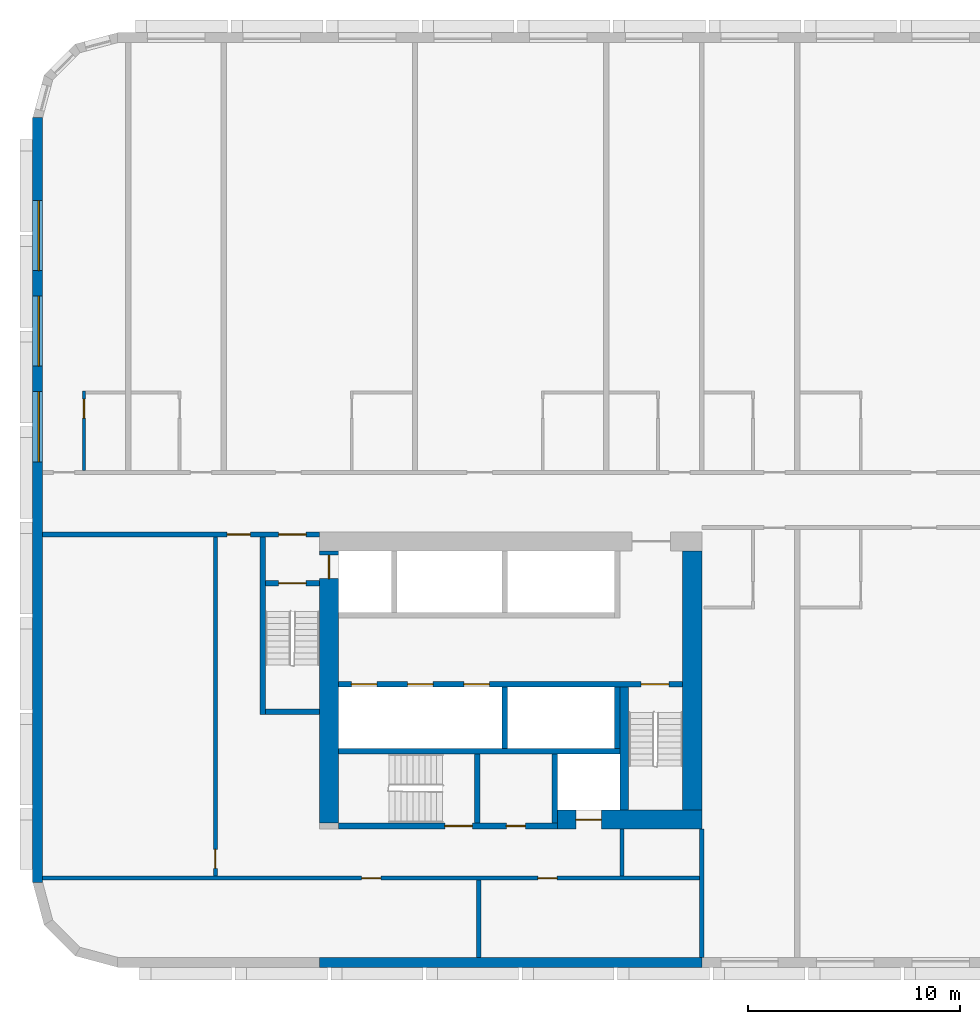
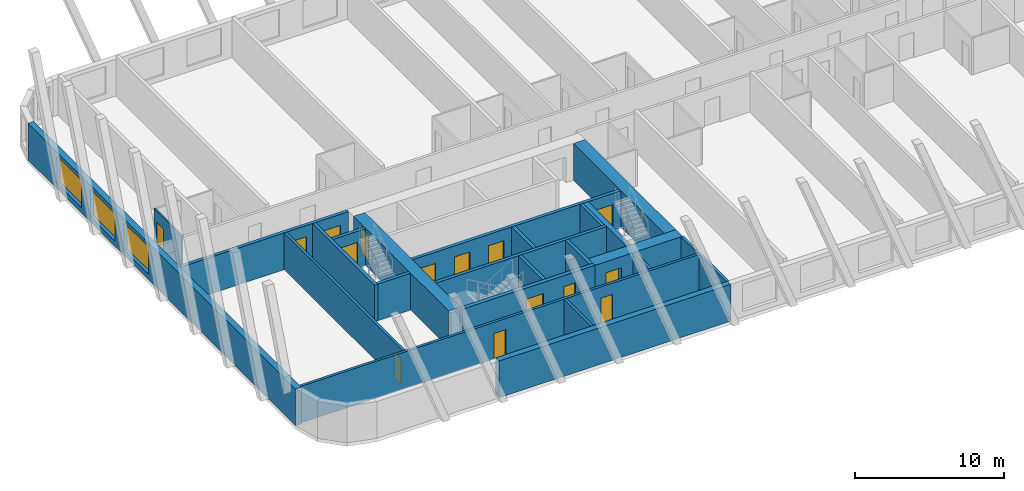
# One storey, part 2 of 13: 23 walls, 15 doors, 3 windows, 18 openings.
"""IFC4 building model written with IfcOpenShell, lengths in metres."""

from ifc_helpers import new_model, si_unit, direction, frame, frame_2d, origin, place, context, subcontext, project, spatial, rectangle, extrude, material, layer, layer_set, type_object, element, fill, save


model = new_model("IFC4")

# Units and contexts
model_context = context("Model", 3, precision=1e-05, world=origin(), true_north=direction((0.0, 1.0)))
body_context = subcontext(model_context, "Body", "Model", "MODEL_VIEW")
ifc_project = project(units=[si_unit("LENGTHUNIT", "METRE"), si_unit("AREAUNIT", "SQUARE_METRE"), si_unit("VOLUMEUNIT", "CUBIC_METRE"), si_unit("PLANEANGLEUNIT", "RADIAN"), si_unit("MASSUNIT", "GRAM", prefix="KILO")], contexts=[model_context])

# Site, building, storey
site_placement = place(None, origin())
site = spatial("IfcSite", under=ifc_project, at=site_placement, CompositionType="ELEMENT")
building_placement = place(site_placement, origin())
building = spatial("IfcBuilding", under=site, at=building_placement, Name="Kajstack Hotel Tower", CompositionType="ELEMENT")
storey_placement = place(building_placement, frame((0.0, 0.0, 60.0)))
storey = spatial("IfcBuildingStorey", under=building, at=storey_placement, Name="L09", CompositionType="ELEMENT", Elevation=60.0)

# Wall, opening, door
ifc_material_1 = material(Name="Concrete C60/75", Category="concrete")
ifc_layer_1 = layer(ifc_material_1, 0.89990234375)
ifc_layer_set_1 = layer_set([ifc_layer_1], Name="Core wall 900")
wall_type_1 = type_object("IfcWallType", Name="Core wall 900", PredefinedType="SHEAR", material=ifc_layer_set_1)
wall_1_placement = place(storey_placement, frame((-20.300048828125, -15.050048828125, 0.0), z_axis=(0.0, 0.0, 1.0), x_axis=(1.0, 0.0, 0.0)))
wall_1 = element("IfcWall", 1, at=wall_1_placement, inside=storey, type_object=wall_type_1, Name="Core wall W RS", PredefinedType="SHEAR", context=body_context, shape_type="SweptSolid", body=[
    extrude(rectangle(XDim=6.800048828125, YDim=0.89990234375, at=frame_2d((3.39990234375, 0.0))), origin(), (0.0, 0.0, 1.0), 3.02001953125),
])
opening_1_placement = place(wall_1_placement, frame((0.875, 0.0, 0.0)))
opening_1 = element("IfcOpeningElement", 2, at=opening_1_placement, cuts=wall_1, Name="Opening LD-SV1", PredefinedType="OPENING", context=body_context, shape_type="SweptSolid", body=[
    extrude(rectangle(XDim=1.199951171875, YDim=2.10009765625, at=frame_2d((0.60009765625, 1.050048828125))), frame((0.0, 0.4599609375, 0.0), z_axis=(0.0, -1.0, 0.0), x_axis=(1.0, 0.0, 0.0)), (0.0, 0.0, 1.0), 0.919921875),
])
ifc_material_2 = material(Name="Stainless steel", Category="steel")
door_type_1 = type_object("IfcDoorType", Name="Lift landing door 1200", OperationType="SLIDING_TO_LEFT", PredefinedType="DOOR", material=ifc_material_2)
door_1_placement = place(opening_1_placement, origin())
door_1 = element("IfcDoor", 3, at=door_1_placement, inside=storey, type_object=door_type_1, Name="Landing door SV1", OperationType="SLIDING_TO_LEFT", OverallHeight=2.10009765625, OverallWidth=1.199951171875, PredefinedType="DOOR", context=body_context, shape_type="SweptSolid", body=[
    extrude(rectangle(XDim=1.199951171875, YDim=2.10009765625, at=frame_2d((0.60009765625, 1.050048828125))), frame((0.0, 0.02490234375, 0.0), z_axis=(0.0, -1.0, 0.0), x_axis=(1.0, 0.0, 0.0)), (0.0, 0.0, 1.0), 0.050048828125),
])
fill(opening_1, door_1)

wall_2_placement = place(storey_placement, frame((-31.050048828125, -15.199951171875, 0.0), z_axis=(0.0, 0.0, 1.0), x_axis=(0.0, 1.0, 0.0)))
wall_2 = element("IfcWall", 4, at=wall_2_placement, inside=storey, type_object=wall_type_1, Name="Core wall W RW", PredefinedType="SHEAR", context=body_context, shape_type="SweptSolid", body=[
    extrude(rectangle(XDim=12.800048828125, YDim=0.89990234375, at=frame_2d((6.39990234375, 0.0))), origin(), (0.0, 0.0, 1.0), 3.02001953125),
])
opening_2_placement = place(wall_2_placement, frame((11.5, 0.0, 0.0)))
opening_2 = element("IfcOpeningElement", 5, at=opening_2_placement, cuts=wall_2, Name="Opening LD-FF1", PredefinedType="OPENING", context=body_context, shape_type="SweptSolid", body=[
    extrude(rectangle(XDim=1.10009765625, YDim=2.10009765625, at=frame_2d((0.550048828125, 1.050048828125))), frame((0.0, 0.4599609375, 0.0), z_axis=(0.0, -1.0, 0.0), x_axis=(1.0, 0.0, 0.0)), (0.0, 0.0, 1.0), 0.919921875),
])
door_type_2 = type_object("IfcDoorType", Name="Fire-fighting lift landing door 1100", OperationType="SLIDING_TO_LEFT", PredefinedType="DOOR", material=ifc_material_2)
door_2_placement = place(opening_2_placement, origin())
door_2 = element("IfcDoor", 6, at=door_2_placement, inside=storey, type_object=door_type_2, Name="Landing door FF1", OperationType="SLIDING_TO_RIGHT", OverallHeight=2.10009765625, OverallWidth=1.10009765625, PredefinedType="DOOR", context=body_context, shape_type="SweptSolid", body=[
    extrude(rectangle(XDim=1.10009765625, YDim=2.10009765625, at=frame_2d((0.550048828125, 1.050048828125))), frame((0.0, 0.02490234375, 0.0), z_axis=(0.0, -1.0, 0.0), x_axis=(1.0, 0.0, 0.0)), (0.0, 0.0, 1.0), 0.050048828125),
])
fill(opening_2, door_2)

# Walls
wall_3_placement = place(storey_placement, frame((-13.949951171875, -14.60009765625, 0.0), z_axis=(0.0, 0.0, 1.0), x_axis=(0.0, 1.0, 0.0)))
element("IfcWall", 7, at=wall_3_placement, inside=storey, type_object=wall_type_1, Name="Core wall W RE", PredefinedType="SHEAR", context=body_context, shape_type="SweptSolid", body=[
    extrude(rectangle(XDim=12.2001953125, YDim=0.89990234375, at=frame_2d((6.10009765625, 0.0))), origin(), (0.0, 0.0, 1.0), 3.02001953125),
])
ifc_material_3 = material(Name="Twin-frame gypsum board on steel studs, mineral wool", Category="steel")
ifc_layer_2 = layer(ifc_material_3, 0.199951171875)
ifc_layer_set_2 = layer_set([ifc_layer_2], Name="Demising wall 200")
wall_type_2 = type_object("IfcWallType", Name="Demising wall 200", PredefinedType="PARTITIONING", material=ifc_layer_set_2)
wall_4_placement = place(storey_placement, frame((-13.5, -21.550048828125, 0.0), z_axis=(0.0, 0.0, 1.0), x_axis=(0.0, 1.0, 0.0)))
element("IfcWall", 8, at=wall_4_placement, inside=storey, type_object=wall_type_2, Name="G-wall-L09-002", PredefinedType="PARTITIONING", context=body_context, shape_type="SweptSolid", body=[
    extrude(rectangle(XDim=6.050048828125, YDim=0.199951171875, at=frame_2d((3.02490234375, 0.0))), origin(), (0.0, 0.0, 1.0), 3.02001953125),
])
ifc_material_4 = material(Name="Concrete C40/50", Category="concrete")
ifc_layer_3 = layer(ifc_material_4, 0.449951171875)
ifc_layer_set_3 = layer_set([ifc_layer_3], Name="EW-CORE")
wall_type_3 = type_object("IfcWallType", Name="EW-CORE", PredefinedType="SOLIDWALL", material=ifc_layer_set_3)
wall_5_placement = place(storey_placement, frame((-31.5, -21.77490234375, 0.0), z_axis=(0.0, 0.0, 1.0), x_axis=(1.0, 0.0, 0.0)))
element("IfcWall", 9, at=wall_5_placement, inside=storey, type_object=wall_type_3, Name="E-wall-L09-03-01", PredefinedType="SOLIDWALL", context=body_context, shape_type="SweptSolid", body=[
    extrude(rectangle(XDim=18.0, YDim=0.449951171875, at=frame_2d((9.0, 0.0))), origin(), (0.0, 0.0, 1.0), 3.02001953125),
])

# Wall, openings, windows
ifc_material_5 = material(Name="Terracotta-faced brick masonry", Category="masonry")
ifc_layer_4 = layer(ifc_material_5, 0.449951171875)
ifc_layer_set_4 = layer_set([ifc_layer_4], Name="EW-TERRA")
wall_type_4 = type_object("IfcWallType", Name="EW-TERRA", PredefinedType="SOLIDWALL", material=ifc_layer_set_4)
wall_6_placement = place(storey_placement, frame((-44.77490234375, 18.0, 0.0), z_axis=(0.0, 0.0, 1.0), x_axis=(0.0, -1.0, 0.0)))
wall_6 = element("IfcWall", 10, at=wall_6_placement, inside=storey, type_object=wall_type_4, Name="E-wall-L09-15-00", PredefinedType="SOLIDWALL", context=body_context, shape_type="SweptSolid", body=[
    extrude(rectangle(XDim=36.0, YDim=0.449951171875, at=frame_2d((18.0, 0.0))), origin(), (0.0, 0.0, 1.0), 3.02001953125),
])
opening_3_placement = place(wall_6_placement, frame((3.89990234375, 0.0, 0.449951171875)))
opening_3 = element("IfcOpeningElement", 11, at=opening_3_placement, cuts=wall_6, Name="Opening W2", PredefinedType="OPENING", context=body_context, shape_type="SweptSolid", body=[
    extrude(rectangle(XDim=3.300048828125, YDim=2.25, at=frame_2d((1.64990234375, 1.125))), frame((0.0, 0.23486328125, 0.0), z_axis=(0.0, -1.0, 0.0), x_axis=(1.0, 0.0, 0.0)), (0.0, 0.0, 1.0), 0.469970703125),
])
opening_4_placement = place(wall_6_placement, frame((8.39990234375, 0.0, 0.449951171875)))
opening_4 = element("IfcOpeningElement", 12, at=opening_4_placement, cuts=wall_6, Name="Opening W2", PredefinedType="OPENING", context=body_context, shape_type="SweptSolid", body=[
    extrude(rectangle(XDim=3.300048828125, YDim=2.25, at=frame_2d((1.64990234375, 1.125))), frame((0.0, 0.23486328125, 0.0), z_axis=(0.0, -1.0, 0.0), x_axis=(1.0, 0.0, 0.0)), (0.0, 0.0, 1.0), 0.469970703125),
])
opening_5_placement = place(wall_6_placement, frame((12.89990234375, 0.0, 0.449951171875)))
opening_5 = element("IfcOpeningElement", 13, at=opening_5_placement, cuts=wall_6, Name="Opening W2", PredefinedType="OPENING", context=body_context, shape_type="SweptSolid", body=[
    extrude(rectangle(XDim=3.300048828125, YDim=2.25, at=frame_2d((1.64990234375, 1.125))), frame((0.0, 0.23486328125, 0.0), z_axis=(0.0, -1.0, 0.0), x_axis=(1.0, 0.0, 0.0)), (0.0, 0.0, 1.0), 0.469970703125),
])
ifc_material_6 = material(Name="Timber-aluminium window, triple glazed", Category="wood")
window_type = type_object("IfcWindowType", Name="WG2", PartitioningType="SINGLE_PANEL", PredefinedType="WINDOW", material=ifc_material_6)
window_1_placement = place(opening_3_placement, origin())
window_1 = element("IfcWindow", 14, at=window_1_placement, inside=storey, type_object=window_type, Name="Window W2 L09-15", OverallHeight=2.25, OverallWidth=3.300048828125, PartitioningType="SINGLE_PANEL", PredefinedType="WINDOW", context=body_context, shape_type="SweptSolid", body=[
    extrude(rectangle(XDim=3.300048828125, YDim=2.25, at=frame_2d((1.64990234375, 1.125))), frame((0.0, 0.090087890625, 0.0), z_axis=(0.0, -1.0, 0.0), x_axis=(1.0, 0.0, 0.0)), (0.0, 0.0, 1.0), 0.06005859375),
])
fill(opening_3, window_1)
window_2_placement = place(opening_4_placement, origin())
window_2 = element("IfcWindow", 15, at=window_2_placement, inside=storey, type_object=window_type, Name="Window W2 L09-15", OverallHeight=2.25, OverallWidth=3.300048828125, PartitioningType="SINGLE_PANEL", PredefinedType="WINDOW", context=body_context, shape_type="SweptSolid", body=[
    extrude(rectangle(XDim=3.300048828125, YDim=2.25, at=frame_2d((1.64990234375, 1.125))), frame((0.0, 0.090087890625, 0.0), z_axis=(0.0, -1.0, 0.0), x_axis=(1.0, 0.0, 0.0)), (0.0, 0.0, 1.0), 0.06005859375),
])
fill(opening_4, window_2)
window_3_placement = place(opening_5_placement, origin())
window_3 = element("IfcWindow", 16, at=window_3_placement, inside=storey, type_object=window_type, Name="Window W2 L09-15", OverallHeight=2.25, OverallWidth=3.300048828125, PartitioningType="SINGLE_PANEL", PredefinedType="WINDOW", context=body_context, shape_type="SweptSolid", body=[
    extrude(rectangle(XDim=3.300048828125, YDim=2.25, at=frame_2d((1.64990234375, 1.125))), frame((0.0, 0.090087890625, 0.0), z_axis=(0.0, -1.0, 0.0), x_axis=(1.0, 0.0, 0.0)), (0.0, 0.0, 1.0), 0.06005859375),
])
fill(opening_5, window_3)

# Wall, opening, door
ifc_material_7 = material(Name="Gypsum board and tiled backer on steel studs", Category="steel")
ifc_layer_5 = layer(ifc_material_7, 0.125)
ifc_layer_set_5 = layer_set([ifc_layer_5], Name="En-suite wall 125")
wall_type_5 = type_object("IfcWallType", Name="En-suite wall 125", PredefinedType="PARTITIONING", material=ifc_layer_set_5)
wall_7_placement = place(storey_placement, frame((-42.5869140625, 1.39990234375, 0.0), z_axis=(0.0, 0.0, 1.0), x_axis=(0.0, 1.0, 0.0)))
wall_7 = element("IfcWall", 17, at=wall_7_placement, inside=storey, type_object=wall_type_5, Name="G-wall-L09-004", PredefinedType="PARTITIONING", context=body_context, shape_type="SweptSolid", body=[
    extrude(rectangle(XDim=3.72509765625, YDim=0.125, at=frame_2d((1.862548828125, 0.0))), origin(), (0.0, 0.0, 1.0), 3.02001953125),
])
opening_6_placement = place(wall_7_placement, frame((2.449951171875, 0.0, 0.0)))
opening_6 = element("IfcOpeningElement", 18, at=opening_6_placement, cuts=wall_7, Name="Opening 09002", PredefinedType="OPENING", context=body_context, shape_type="SweptSolid", body=[
    extrude(rectangle(XDim=0.89990234375, YDim=2.10009765625, at=frame_2d((0.449951171875, 1.050048828125))), frame((0.0, 0.072509765625, 0.0), z_axis=(0.0, -1.0, 0.0), x_axis=(1.0, 0.0, 0.0)), (0.0, 0.0, 1.0), 0.14501953125),
])
ifc_material_8 = material(Name="Painted timber door leaf", Category="wood")
door_type_3 = type_object("IfcDoorType", Name="Room door 900", OperationType="SINGLE_SWING_LEFT", PredefinedType="DOOR", material=ifc_material_8)
door_3_placement = place(opening_6_placement, origin())
door_3 = element("IfcDoor", 19, at=door_3_placement, inside=storey, type_object=door_type_3, Name="G-door-L09-02", OperationType="SINGLE_SWING_RIGHT", OverallHeight=2.10009765625, OverallWidth=0.89990234375, PredefinedType="DOOR", context=body_context, shape_type="SweptSolid", body=[
    extrude(rectangle(XDim=0.89990234375, YDim=2.10009765625, at=frame_2d((0.449951171875, 1.050048828125))), frame((0.0, 0.02490234375, 0.0), z_axis=(0.0, -1.0, 0.0), x_axis=(1.0, 0.0, 0.0)), (0.0, 0.0, 1.0), 0.050048828125),
])
fill(opening_6, door_3)

# Wall
ifc_material_9 = material(Name="Concrete C50/60", Category="concrete")
ifc_layer_6 = layer(ifc_material_9, 0.300048828125)
ifc_layer_set_6 = layer_set([ifc_layer_6], Name="Hoistway divider wall 300")
wall_type_6 = type_object("IfcWallType", Name="Hoistway divider wall 300", PredefinedType="SHEAR", material=ifc_layer_set_6)
wall_8_placement = place(storey_placement, frame((-22.77490234375, -11.699951171875, 0.0), z_axis=(0.0, 0.0, 1.0), x_axis=(0.0, 1.0, 0.0)))
element("IfcWall", 20, at=wall_8_placement, inside=storey, type_object=wall_type_6, Name="Core wall W BP2", PredefinedType="SHEAR", context=body_context, shape_type="SweptSolid", body=[
    extrude(rectangle(XDim=2.89990234375, YDim=0.25, at=frame_2d((1.449951171875, 0.0))), origin(), (0.0, 0.0, 1.0), 3.02001953125),
])

# Wall, openings, doors
ifc_material_10 = material(Name="Gypsum board on steel studs, mineral wool", Category="steel")
ifc_layer_7 = layer(ifc_material_10, 0.199951171875)
ifc_layer_set_7 = layer_set([ifc_layer_7], Name="Service partition 200")
wall_type_7 = type_object("IfcWallType", Name="Service partition 200", PredefinedType="PARTITIONING", material=ifc_layer_set_7)
wall_9_placement = place(storey_placement, frame((-44.550048828125, -1.625, 0.0), z_axis=(0.0, 0.0, 1.0), x_axis=(1.0, 0.0, 0.0)))
wall_9 = element("IfcWall", 21, at=wall_9_placement, inside=storey, type_object=wall_type_7, Name="Partition W SN", PredefinedType="PARTITIONING", context=body_context, shape_type="SweptSolid", body=[
    extrude(rectangle(XDim=13.050048828125, YDim=0.25, at=frame_2d((6.52490234375, 0.0))), origin(), (0.0, 0.0, 1.0), 3.02001953125),
])
opening_7_placement = place(wall_9_placement, frame((11.125, 0.0, 0.0)))
opening_7 = element("IfcOpeningElement", 22, at=opening_7_placement, cuts=wall_9, Name="Opening 09W07", PredefinedType="OPENING", context=body_context, shape_type="SweptSolid", body=[
    extrude(rectangle(XDim=1.300048828125, YDim=2.10009765625, at=frame_2d((0.64990234375, 1.050048828125))), frame((0.0, 0.135009765625, 0.0), z_axis=(0.0, -1.0, 0.0), x_axis=(1.0, 0.0, 0.0)), (0.0, 0.0, 1.0), 0.27001953125),
])
opening_8_placement = place(wall_9_placement, frame((8.699951171875, 0.0, 0.0)))
opening_8 = element("IfcOpeningElement", 23, at=opening_8_placement, cuts=wall_9, Name="Opening 09W09", PredefinedType="OPENING", context=body_context, shape_type="SweptSolid", body=[
    extrude(rectangle(XDim=1.10009765625, YDim=2.10009765625, at=frame_2d((0.550048828125, 1.050048828125))), frame((0.0, 0.135009765625, 0.0), z_axis=(0.0, -1.0, 0.0), x_axis=(1.0, 0.0, 0.0)), (0.0, 0.0, 1.0), 0.27001953125),
])
ifc_material_11 = material(Name="Steel leaf, fire-rated", Category="steel")
door_type_4 = type_object("IfcDoorType", Name="Fire lobby door 1300", OperationType="SINGLE_SWING_LEFT", PredefinedType="DOOR", material=ifc_material_11)
door_4_placement = place(opening_7_placement, origin())
door_4 = element("IfcDoor", 24, at=door_4_placement, inside=storey, type_object=door_type_4, Name="Door 09W07", OperationType="SINGLE_SWING_RIGHT", OverallHeight=2.10009765625, OverallWidth=1.300048828125, PredefinedType="DOOR", context=body_context, shape_type="SweptSolid", body=[
    extrude(rectangle(XDim=1.300048828125, YDim=2.10009765625, at=frame_2d((0.64990234375, 1.050048828125))), frame((0.0, 0.02490234375, 0.0), z_axis=(0.0, -1.0, 0.0), x_axis=(1.0, 0.0, 0.0)), (0.0, 0.0, 1.0), 0.050048828125),
])
fill(opening_7, door_4)
ifc_material_12 = material(Name="Timber leaf, fire-rated", Category="wood")
door_type_5 = type_object("IfcDoorType", Name="Service corridor door 1100", OperationType="SINGLE_SWING_LEFT", PredefinedType="DOOR", material=ifc_material_12)
door_5_placement = place(opening_8_placement, origin())
door_5 = element("IfcDoor", 25, at=door_5_placement, inside=storey, type_object=door_type_5, Name="Door 09W09", OperationType="SINGLE_SWING_RIGHT", OverallHeight=2.10009765625, OverallWidth=1.10009765625, PredefinedType="DOOR", context=body_context, shape_type="SweptSolid", body=[
    extrude(rectangle(XDim=1.10009765625, YDim=2.10009765625, at=frame_2d((0.550048828125, 1.050048828125))), frame((0.0, 0.02490234375, 0.0), z_axis=(0.0, -1.0, 0.0), x_axis=(1.0, 0.0, 0.0)), (0.0, 0.0, 1.0), 0.050048828125),
])
fill(opening_8, door_5)

# Wall
wall_10_placement = place(storey_placement, frame((-17.25, -17.699951171875, 0.0), z_axis=(0.0, 0.0, 1.0), x_axis=(0.0, 1.0, 0.0)))
element("IfcWall", 26, at=wall_10_placement, inside=storey, type_object=wall_type_7, Name="Partition W SCE", PredefinedType="PARTITIONING", context=body_context, shape_type="SweptSolid", body=[
    extrude(rectangle(XDim=2.199951171875, YDim=0.199951171875, at=frame_2d((1.10009765625, 0.0))), origin(), (0.0, 0.0, 1.0), 3.02001953125),
])

# Wall, opening, door
wall_11_placement = place(storey_placement, frame((-36.39990234375, -17.699951171875, 0.0), z_axis=(0.0, 0.0, 1.0), x_axis=(0.0, 1.0, 0.0)))
wall_11 = element("IfcWall", 27, at=wall_11_placement, inside=storey, type_object=wall_type_7, Name="Partition W WRE", PredefinedType="PARTITIONING", context=body_context, shape_type="SweptSolid", body=[
    extrude(rectangle(XDim=15.949951171875, YDim=0.199951171875, at=frame_2d((7.97509765625, 0.0))), origin(), (0.0, 0.0, 1.0), 3.02001953125),
])
opening_9_placement = place(wall_11_placement, frame((0.35009765625, 0.0, 0.0)))
opening_9 = element("IfcOpeningElement", 28, at=opening_9_placement, cuts=wall_11, Name="Opening 09W15", PredefinedType="OPENING", context=body_context, shape_type="SweptSolid", body=[
    extrude(rectangle(XDim=0.89990234375, YDim=2.10009765625, at=frame_2d((0.449951171875, 1.050048828125))), frame((0.0, 0.10986328125, 0.0), z_axis=(0.0, -1.0, 0.0), x_axis=(1.0, 0.0, 0.0)), (0.0, 0.0, 1.0), 0.219970703125),
])
door_type_6 = type_object("IfcDoorType", Name="Service door 900", OperationType="SINGLE_SWING_LEFT", PredefinedType="DOOR", material=ifc_material_12)
door_6_placement = place(opening_9_placement, origin())
door_6 = element("IfcDoor", 29, at=door_6_placement, inside=storey, type_object=door_type_6, Name="Door 09W15", OperationType="SINGLE_SWING_LEFT", OverallHeight=2.10009765625, OverallWidth=0.89990234375, PredefinedType="DOOR", context=body_context, shape_type="SweptSolid", body=[
    extrude(rectangle(XDim=0.89990234375, YDim=2.10009765625, at=frame_2d((0.449951171875, 1.050048828125))), frame((0.0, 0.02490234375, 0.0), z_axis=(0.0, -1.0, 0.0), x_axis=(1.0, 0.0, 0.0)), (0.0, 0.0, 1.0), 0.050048828125),
])
fill(opening_9, door_6)

# Wall, openings, doors
wall_12_placement = place(storey_placement, frame((-44.550048828125, -17.800048828125, 0.0), z_axis=(0.0, 0.0, 1.0), x_axis=(1.0, 0.0, 0.0)))
wall_12 = element("IfcWall", 30, at=wall_12_placement, inside=storey, type_object=wall_type_7, Name="Partition W SLN", PredefinedType="PARTITIONING", context=body_context, shape_type="SweptSolid", body=[
    extrude(rectangle(XDim=30.949951171875, YDim=0.199951171875, at=frame_2d((15.47509765625, 0.0))), origin(), (0.0, 0.0, 1.0), 3.02001953125),
])
opening_10_placement = place(wall_12_placement, frame((15.03759765625, 0.0, 0.0)))
opening_10 = element("IfcOpeningElement", 31, at=opening_10_placement, cuts=wall_12, Name="Opening 09W13", PredefinedType="OPENING", context=body_context, shape_type="SweptSolid", body=[
    extrude(rectangle(XDim=0.89990234375, YDim=2.10009765625, at=frame_2d((0.449951171875, 1.050048828125))), frame((0.0, 0.10986328125, 0.0), z_axis=(0.0, -1.0, 0.0), x_axis=(1.0, 0.0, 0.0)), (0.0, 0.0, 1.0), 0.219970703125),
])
opening_11_placement = place(wall_12_placement, frame((23.33740234375, 0.0, 0.0)))
opening_11 = element("IfcOpeningElement", 32, at=opening_11_placement, cuts=wall_12, Name="Opening 09W14", PredefinedType="OPENING", context=body_context, shape_type="SweptSolid", body=[
    extrude(rectangle(XDim=0.89990234375, YDim=2.10009765625, at=frame_2d((0.449951171875, 1.050048828125))), frame((0.0, 0.10986328125, 0.0), z_axis=(0.0, -1.0, 0.0), x_axis=(1.0, 0.0, 0.0)), (0.0, 0.0, 1.0), 0.219970703125),
])
door_7_placement = place(opening_10_placement, origin())
door_7 = element("IfcDoor", 33, at=door_7_placement, inside=storey, type_object=door_type_6, Name="Door 09W13", OperationType="SINGLE_SWING_RIGHT", OverallHeight=2.10009765625, OverallWidth=0.89990234375, PredefinedType="DOOR", context=body_context, shape_type="SweptSolid", body=[
    extrude(rectangle(XDim=0.89990234375, YDim=2.10009765625, at=frame_2d((0.449951171875, 1.050048828125))), frame((0.0, 0.02490234375, 0.0), z_axis=(0.0, -1.0, 0.0), x_axis=(1.0, 0.0, 0.0)), (0.0, 0.0, 1.0), 0.050048828125),
])
fill(opening_10, door_7)
door_8_placement = place(opening_11_placement, origin())
door_8 = element("IfcDoor", 34, at=door_8_placement, inside=storey, type_object=door_type_6, Name="Door 09W14", OperationType="SINGLE_SWING_RIGHT", OverallHeight=2.10009765625, OverallWidth=0.89990234375, PredefinedType="DOOR", context=body_context, shape_type="SweptSolid", body=[
    extrude(rectangle(XDim=0.89990234375, YDim=2.10009765625, at=frame_2d((0.449951171875, 1.050048828125))), frame((0.0, 0.02490234375, 0.0), z_axis=(0.0, -1.0, 0.0), x_axis=(1.0, 0.0, 0.0)), (0.0, 0.0, 1.0), 0.050048828125),
])
fill(opening_11, door_8)

# Wall
wall_13_placement = place(storey_placement, frame((-24.0, -21.550048828125, 0.0), z_axis=(0.0, 0.0, 1.0), x_axis=(0.0, 1.0, 0.0)))
element("IfcWall", 35, at=wall_13_placement, inside=storey, type_object=wall_type_7, Name="Partition W SLP0", PredefinedType="PARTITIONING", context=body_context, shape_type="SweptSolid", body=[
    extrude(rectangle(XDim=3.650146484375, YDim=0.199951171875, at=frame_2d((1.8251953125, 0.0))), origin(), (0.0, 0.0, 1.0), 3.02001953125),
])

# Wall, openings, doors
ifc_layer_8 = layer(ifc_material_9, 0.25)
ifc_layer_set_8 = layer_set([ifc_layer_8], Name="Shaft wall 250")
wall_type_8 = type_object("IfcWallType", Name="Shaft wall 250", PredefinedType="SHEAR", material=ifc_layer_set_8)
wall_14_placement = place(storey_placement, frame((-30.60009765625, -15.35009765625, 0.0), z_axis=(0.0, 0.0, 1.0), x_axis=(1.0, 0.0, 0.0)))
wall_14 = element("IfcWall", 36, at=wall_14_placement, inside=storey, type_object=wall_type_8, Name="Core wall W RSS", PredefinedType="SHEAR", context=body_context, shape_type="SweptSolid", body=[
    extrude(rectangle(XDim=10.300048828125, YDim=0.300048828125, at=frame_2d((5.14990234375, 0.0))), origin(), (0.0, 0.0, 1.0), 3.02001953125),
])
opening_12_placement = place(wall_14_placement, frame((5.0, 0.0, 0.0)))
opening_12 = element("IfcOpeningElement", 37, at=opening_12_placement, cuts=wall_14, Name="Opening 09W11", PredefinedType="OPENING", context=body_context, shape_type="SweptSolid", body=[
    extrude(rectangle(XDim=1.300048828125, YDim=2.10009765625, at=frame_2d((0.64990234375, 1.050048828125))), frame((0.0, 0.159912109375, 0.0), z_axis=(0.0, -1.0, 0.0), x_axis=(1.0, 0.0, 0.0)), (0.0, 0.0, 1.0), 0.320068359375),
])
opening_13_placement = place(wall_14_placement, frame((7.89990234375, 0.0, 0.0)))
opening_13 = element("IfcOpeningElement", 38, at=opening_13_placement, cuts=wall_14, Name="Opening 09W12", PredefinedType="OPENING", context=body_context, shape_type="SweptSolid", body=[
    extrude(rectangle(XDim=0.89990234375, YDim=2.10009765625, at=frame_2d((0.449951171875, 1.050048828125))), frame((0.0, 0.159912109375, 0.0), z_axis=(0.0, -1.0, 0.0), x_axis=(1.0, 0.0, 0.0)), (0.0, 0.0, 1.0), 0.320068359375),
])
door_9_placement = place(opening_13_placement, origin())
door_9 = element("IfcDoor", 39, at=door_9_placement, inside=storey, type_object=door_type_6, Name="Door 09W12", OperationType="SINGLE_SWING_LEFT", OverallHeight=2.10009765625, OverallWidth=0.89990234375, PredefinedType="DOOR", context=body_context, shape_type="SweptSolid", body=[
    extrude(rectangle(XDim=0.89990234375, YDim=2.10009765625, at=frame_2d((0.449951171875, 1.050048828125))), frame((0.0, 0.02490234375, 0.0), z_axis=(0.0, -1.0, 0.0), x_axis=(1.0, 0.0, 0.0)), (0.0, 0.0, 1.0), 0.050048828125),
])
fill(opening_13, door_9)
door_type_7 = type_object("IfcDoorType", Name="Stair door 1300", OperationType="SINGLE_SWING_LEFT", PredefinedType="DOOR", material=ifc_material_11)
door_10_placement = place(opening_12_placement, origin())
door_10 = element("IfcDoor", 40, at=door_10_placement, inside=storey, type_object=door_type_7, Name="Door 09W11", OperationType="SINGLE_SWING_RIGHT", OverallHeight=2.10009765625, OverallWidth=1.300048828125, PredefinedType="DOOR", context=body_context, shape_type="SweptSolid", body=[
    extrude(rectangle(XDim=1.300048828125, YDim=2.10009765625, at=frame_2d((0.64990234375, 1.050048828125))), frame((0.0, 0.02490234375, 0.0), z_axis=(0.0, -1.0, 0.0), x_axis=(1.0, 0.0, 0.0)), (0.0, 0.0, 1.0), 0.050048828125),
])
fill(opening_12, door_10)

wall_15_placement = place(storey_placement, frame((-30.60009765625, -8.675048828125, 0.0), z_axis=(0.0, 0.0, 1.0), x_axis=(1.0, 0.0, 0.0)))
wall_15 = element("IfcWall", 41, at=wall_15_placement, inside=storey, type_object=wall_type_8, Name="Core wall W FB", PredefinedType="SHEAR", context=body_context, shape_type="SweptSolid", body=[
    extrude(rectangle(XDim=16.2001953125, YDim=0.25, at=frame_2d((8.10009765625, 0.0))), origin(), (0.0, 0.0, 1.0), 3.02001953125),
])
opening_14_placement = place(wall_15_placement, frame((0.60009765625, 0.0, 0.0)))
opening_14 = element("IfcOpeningElement", 42, at=opening_14_placement, cuts=wall_15, Name="Opening LD-LR1", PredefinedType="OPENING", context=body_context, shape_type="SweptSolid", body=[
    extrude(rectangle(XDim=1.199951171875, YDim=2.10009765625, at=frame_2d((0.60009765625, 1.050048828125))), frame((0.0, 0.135009765625, 0.0), z_axis=(0.0, -1.0, 0.0), x_axis=(1.0, 0.0, 0.0)), (0.0, 0.0, 1.0), 0.27001953125),
])
opening_15_placement = place(wall_15_placement, frame((3.25, 0.0, 0.0)))
opening_15 = element("IfcOpeningElement", 43, at=opening_15_placement, cuts=wall_15, Name="Opening LD-LR2", PredefinedType="OPENING", context=body_context, shape_type="SweptSolid", body=[
    extrude(rectangle(XDim=1.199951171875, YDim=2.10009765625, at=frame_2d((0.60009765625, 1.050048828125))), frame((0.0, 0.135009765625, 0.0), z_axis=(0.0, -1.0, 0.0), x_axis=(1.0, 0.0, 0.0)), (0.0, 0.0, 1.0), 0.27001953125),
])
opening_16_placement = place(wall_15_placement, frame((5.89990234375, 0.0, 0.0)))
opening_16 = element("IfcOpeningElement", 44, at=opening_16_placement, cuts=wall_15, Name="Opening LD-LR3", PredefinedType="OPENING", context=body_context, shape_type="SweptSolid", body=[
    extrude(rectangle(XDim=1.199951171875, YDim=2.10009765625, at=frame_2d((0.60009765625, 1.050048828125))), frame((0.0, 0.135009765625, 0.0), z_axis=(0.0, -1.0, 0.0), x_axis=(1.0, 0.0, 0.0)), (0.0, 0.0, 1.0), 0.27001953125),
])
opening_17_placement = place(wall_15_placement, frame((14.25, 0.0, 0.0)))
opening_17 = element("IfcOpeningElement", 45, at=opening_17_placement, cuts=wall_15, Name="Opening 09W10", PredefinedType="OPENING", context=body_context, shape_type="SweptSolid", body=[
    extrude(rectangle(XDim=1.300048828125, YDim=2.10009765625, at=frame_2d((0.64990234375, 1.050048828125))), frame((0.0, 0.135009765625, 0.0), z_axis=(0.0, -1.0, 0.0), x_axis=(1.0, 0.0, 0.0)), (0.0, 0.0, 1.0), 0.27001953125),
])
door_11_placement = place(opening_14_placement, origin())
door_11 = element("IfcDoor", 46, at=door_11_placement, inside=storey, type_object=door_type_1, Name="Landing door LR1", OperationType="SLIDING_TO_LEFT", OverallHeight=2.10009765625, OverallWidth=1.199951171875, PredefinedType="DOOR", context=body_context, shape_type="SweptSolid", body=[
    extrude(rectangle(XDim=1.199951171875, YDim=2.10009765625, at=frame_2d((0.60009765625, 1.050048828125))), frame((0.0, 0.02490234375, 0.0), z_axis=(0.0, -1.0, 0.0), x_axis=(1.0, 0.0, 0.0)), (0.0, 0.0, 1.0), 0.050048828125),
])
fill(opening_14, door_11)
door_12_placement = place(opening_15_placement, origin())
door_12 = element("IfcDoor", 47, at=door_12_placement, inside=storey, type_object=door_type_1, Name="Landing door LR2", OperationType="SLIDING_TO_RIGHT", OverallHeight=2.10009765625, OverallWidth=1.199951171875, PredefinedType="DOOR", context=body_context, shape_type="SweptSolid", body=[
    extrude(rectangle(XDim=1.199951171875, YDim=2.10009765625, at=frame_2d((0.60009765625, 1.050048828125))), frame((0.0, 0.02490234375, 0.0), z_axis=(0.0, -1.0, 0.0), x_axis=(1.0, 0.0, 0.0)), (0.0, 0.0, 1.0), 0.050048828125),
])
fill(opening_15, door_12)
door_13_placement = place(opening_16_placement, origin())
door_13 = element("IfcDoor", 48, at=door_13_placement, inside=storey, type_object=door_type_1, Name="Landing door LR3", OperationType="SLIDING_TO_RIGHT", OverallHeight=2.10009765625, OverallWidth=1.199951171875, PredefinedType="DOOR", context=body_context, shape_type="SweptSolid", body=[
    extrude(rectangle(XDim=1.199951171875, YDim=2.10009765625, at=frame_2d((0.60009765625, 1.050048828125))), frame((0.0, 0.02490234375, 0.0), z_axis=(0.0, -1.0, 0.0), x_axis=(1.0, 0.0, 0.0)), (0.0, 0.0, 1.0), 0.050048828125),
])
fill(opening_16, door_13)
door_14_placement = place(opening_17_placement, origin())
door_14 = element("IfcDoor", 49, at=door_14_placement, inside=storey, type_object=door_type_7, Name="Door 09W10", OperationType="SINGLE_SWING_RIGHT", OverallHeight=2.10009765625, OverallWidth=1.300048828125, PredefinedType="DOOR", context=body_context, shape_type="SweptSolid", body=[
    extrude(rectangle(XDim=1.300048828125, YDim=2.10009765625, at=frame_2d((0.64990234375, 1.050048828125))), frame((0.0, 0.02490234375, 0.0), z_axis=(0.0, -1.0, 0.0), x_axis=(1.0, 0.0, 0.0)), (0.0, 0.0, 1.0), 0.050048828125),
])
fill(opening_17, door_14)

# Walls
wall_16_placement = place(storey_placement, frame((-30.60009765625, -11.824951171875, 0.0), z_axis=(0.0, 0.0, 1.0), x_axis=(1.0, 0.0, 0.0)))
element("IfcWall", 50, at=wall_16_placement, inside=storey, type_object=wall_type_8, Name="Core wall W RB", PredefinedType="SHEAR", context=body_context, shape_type="SweptSolid", body=[
    extrude(rectangle(XDim=13.25, YDim=0.25, at=frame_2d((6.625, 0.0))), origin(), (0.0, 0.0, 1.0), 3.02001953125),
])
wall_17_placement = place(storey_placement, frame((-17.47509765625, -11.699951171875, 0.0), z_axis=(0.0, 0.0, 1.0), x_axis=(0.0, 1.0, 0.0)))
element("IfcWall", 51, at=wall_17_placement, inside=storey, type_object=wall_type_8, Name="Core wall W BE", PredefinedType="SHEAR", context=body_context, shape_type="SweptSolid", body=[
    extrude(rectangle(XDim=2.89990234375, YDim=0.25, at=frame_2d((1.449951171875, 0.0))), origin(), (0.0, 0.0, 1.0), 3.02001953125),
])
wall_18_placement = place(storey_placement, frame((-20.425048828125, -15.199951171875, 0.0), z_axis=(0.0, 0.0, 1.0), x_axis=(0.0, 1.0, 0.0)))
element("IfcWall", 52, at=wall_18_placement, inside=storey, type_object=wall_type_8, Name="Core wall W SVW", PredefinedType="SHEAR", context=body_context, shape_type="SweptSolid", body=[
    extrude(rectangle(XDim=3.25, YDim=0.25, at=frame_2d((1.625, 0.0))), origin(), (0.0, 0.0, 1.0), 3.02001953125),
])

# Wall, opening, door
ifc_layer_9 = layer(ifc_material_4, 0.25)
ifc_layer_set_9 = layer_set([ifc_layer_9], Name="Stair enclosure wall 250")
wall_type_9 = type_object("IfcWallType", Name="Stair enclosure wall 250", PredefinedType="SHEAR", material=ifc_layer_set_9)
wall_19_placement = place(storey_placement, frame((-34.050048828125, -3.925048828125, 0.0), z_axis=(0.0, 0.0, 1.0), x_axis=(1.0, 0.0, 0.0)))
wall_19 = element("IfcWall", 53, at=wall_19_placement, inside=storey, type_object=wall_type_9, Name="Core wall W W1N", PredefinedType="SHEAR", context=body_context, shape_type="SweptSolid", body=[
    extrude(rectangle(XDim=2.550048828125, YDim=0.25, at=frame_2d((1.27490234375, 0.0))), origin(), (0.0, 0.0, 1.0), 3.02001953125),
])
opening_18_placement = place(wall_19_placement, frame((0.625, 0.0, 0.0)))
opening_18 = element("IfcOpeningElement", 54, at=opening_18_placement, cuts=wall_19, Name="Opening 09W08", PredefinedType="OPENING", context=body_context, shape_type="SweptSolid", body=[
    extrude(rectangle(XDim=1.300048828125, YDim=2.10009765625, at=frame_2d((0.64990234375, 1.050048828125))), frame((0.0, 0.135009765625, 0.0), z_axis=(0.0, -1.0, 0.0), x_axis=(1.0, 0.0, 0.0)), (0.0, 0.0, 1.0), 0.27001953125),
])
door_15_placement = place(opening_18_placement, origin())
door_15 = element("IfcDoor", 55, at=door_15_placement, inside=storey, type_object=door_type_7, Name="Door 09W08", OperationType="SINGLE_SWING_RIGHT", OverallHeight=2.10009765625, OverallWidth=1.300048828125, PredefinedType="DOOR", context=body_context, shape_type="SweptSolid", body=[
    extrude(rectangle(XDim=1.300048828125, YDim=2.10009765625, at=frame_2d((0.64990234375, 1.050048828125))), frame((0.0, 0.02490234375, 0.0), z_axis=(0.0, -1.0, 0.0), x_axis=(1.0, 0.0, 0.0)), (0.0, 0.0, 1.0), 0.050048828125),
])
fill(opening_18, door_15)

# Walls
wall_20_placement = place(storey_placement, frame((-34.175048828125, -10.10009765625, 0.0), z_axis=(0.0, 0.0, 1.0), x_axis=(0.0, 1.0, 0.0)))
element("IfcWall", 56, at=wall_20_placement, inside=storey, type_object=wall_type_9, Name="Core wall W W1W", PredefinedType="SHEAR", context=body_context, shape_type="SweptSolid", body=[
    extrude(rectangle(XDim=8.35009765625, YDim=0.25, at=frame_2d((4.175048828125, 0.0))), origin(), (0.0, 0.0, 1.0), 3.02001953125),
])
wall_21_placement = place(storey_placement, frame((-34.050048828125, -9.97509765625, 0.0), z_axis=(0.0, 0.0, 1.0), x_axis=(1.0, 0.0, 0.0)))
element("IfcWall", 57, at=wall_21_placement, inside=storey, type_object=wall_type_9, Name="Core wall W W1S", PredefinedType="SHEAR", context=body_context, shape_type="SweptSolid", body=[
    extrude(rectangle(XDim=2.550048828125, YDim=0.25, at=frame_2d((1.27490234375, 0.0))), origin(), (0.0, 0.0, 1.0), 3.02001953125),
])
ifc_layer_10 = layer(ifc_material_9, 0.35009765625)
ifc_layer_set_10 = layer_set([ifc_layer_10], Name="Stair enclosure wall 350")
wall_type_10 = type_object("IfcWallType", Name="Stair enclosure wall 350", PredefinedType="SHEAR", material=ifc_layer_set_10)
wall_22_placement = place(storey_placement, frame((-24.074951171875, -15.199951171875, 0.0), z_axis=(0.0, 0.0, 1.0), x_axis=(0.0, 1.0, 0.0)))
element("IfcWall", 58, at=wall_22_placement, inside=storey, type_object=wall_type_10, Name="Core wall W W3E", PredefinedType="SHEAR", context=body_context, shape_type="SweptSolid", body=[
    extrude(rectangle(XDim=3.25, YDim=0.25, at=frame_2d((1.625, 0.0))), origin(), (0.0, 0.0, 1.0), 3.02001953125),
])
ifc_layer_11 = layer(ifc_material_9, 0.39990234375)
ifc_layer_set_11 = layer_set([ifc_layer_11], Name="Stair wall 400")
wall_type_11 = type_object("IfcWallType", Name="Stair wall 400", PredefinedType="SHEAR", material=ifc_layer_set_11)
wall_23_placement = place(storey_placement, frame((-17.14990234375, -14.60009765625, 0.0), z_axis=(0.0, 0.0, 1.0), x_axis=(0.0, 1.0, 0.0)))
element("IfcWall", 59, at=wall_23_placement, inside=storey, type_object=wall_type_11, Name="Core wall W WW2", PredefinedType="SHEAR", context=body_context, shape_type="SweptSolid", body=[
    extrude(rectangle(XDim=5.800048828125, YDim=0.39990234375, at=frame_2d((2.89990234375, 0.0))), origin(), (0.0, 0.0, 1.0), 3.02001953125),
])

save(model, "model.ifc")
